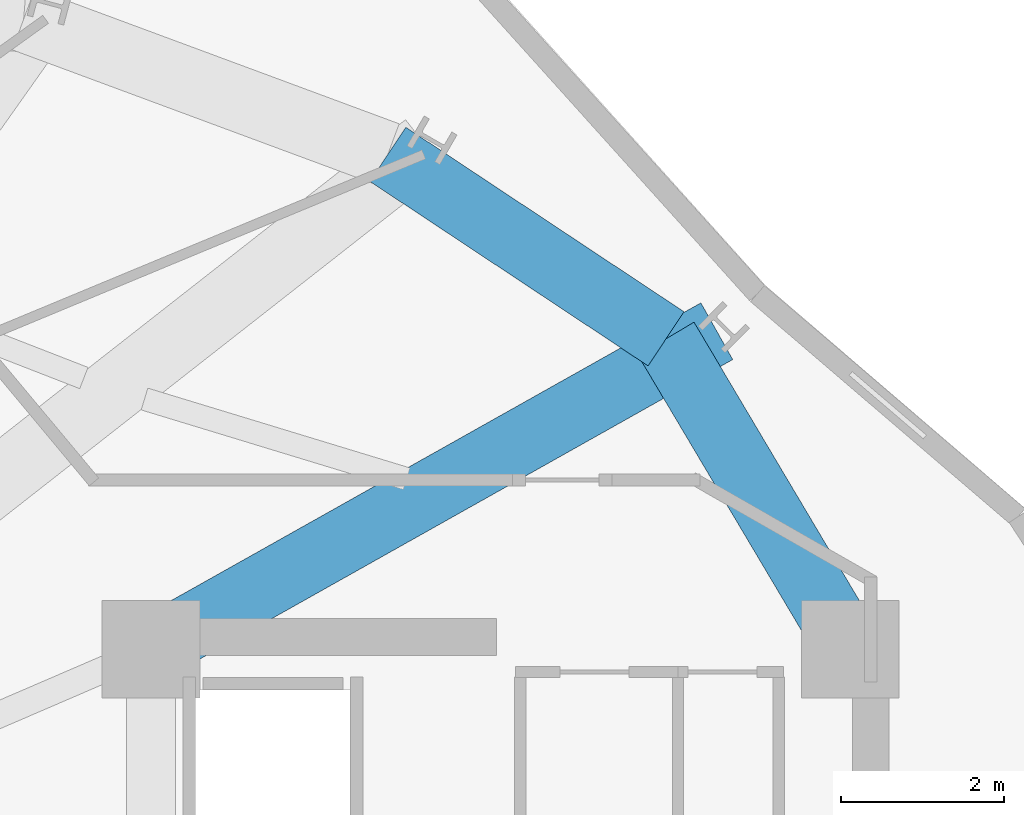
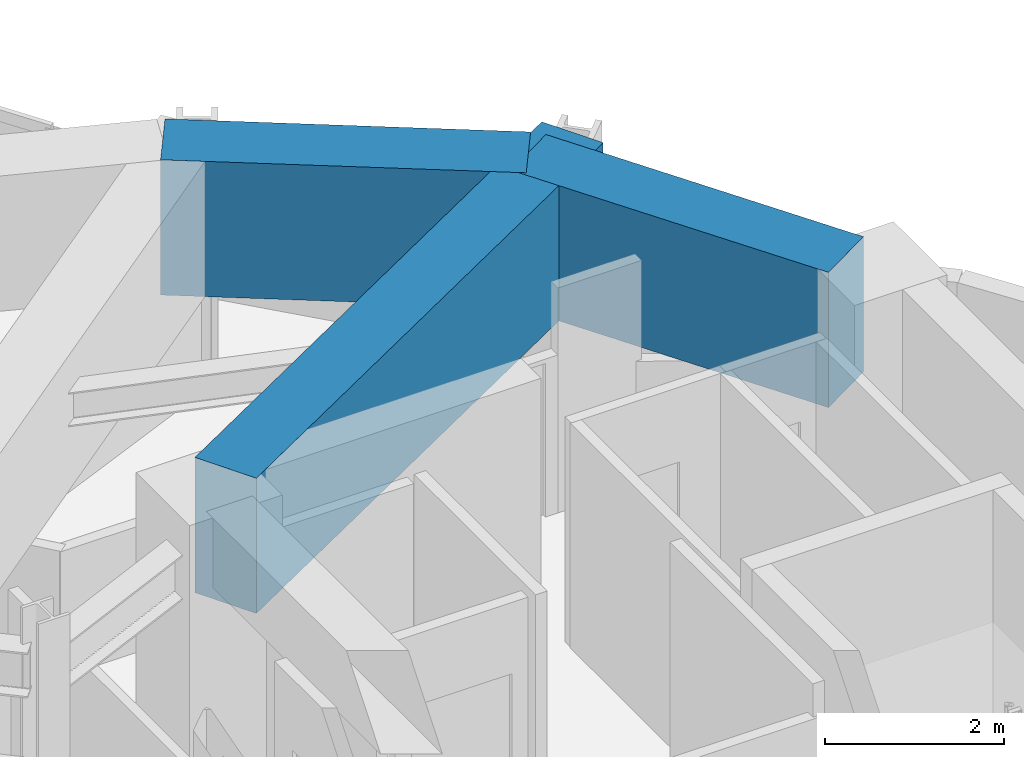
# One storey, part 8 of 21: 3 beams.
"""IFC4 building model written with IfcOpenShell, lengths in metres."""

from ifc_helpers import new_model, si_unit, direction, frame, origin, origin_2d, place, context, subcontext, project, spatial, rectangle, extrude, material, material_profile, profile_set, type_object, element, save


model = new_model("IFC4")

# Units and contexts
model_context = context("Model", 3, precision=1e-05, world=origin(), true_north=direction((0.0, 1.0)))
body_context = subcontext(model_context, "Body", "Model", "MODEL_VIEW")
ifc_project = project(units=[si_unit("LENGTHUNIT", "METRE"), si_unit("AREAUNIT", "SQUARE_METRE"), si_unit("VOLUMEUNIT", "CUBIC_METRE"), si_unit("PLANEANGLEUNIT", "RADIAN"), si_unit("MASSUNIT", "GRAM", prefix="KILO")], contexts=[model_context])

# Site, building, storey
site_placement = place(None, origin())
site = spatial("IfcSite", under=ifc_project, at=site_placement, CompositionType="ELEMENT")
building_placement = place(site_placement, origin())
building = spatial("IfcBuilding", under=site, at=building_placement, Name="Solvane Sanctuary Tower", CompositionType="ELEMENT")
storey_placement = place(building_placement, frame((0.0, 0.0, 256.800048828125)))
storey = spatial("IfcBuildingStorey", under=building, at=storey_placement, Name="L78", CompositionType="ELEMENT", Elevation=256.800048828125)

# Beams
ifc_material = material(Name="Concrete C70/85", Category="concrete")
ifc_material_profile = material_profile(ifc_material, rectangle(XDim=0.800048828125, YDim=1.85009765625, at=origin_2d()), Name="RC800X1850")
ifc_profile_set = profile_set([ifc_material_profile], Name="Concrete C70/85")
beam_type = type_object("IfcBeamType", Name="Beam B-XFER-BLK RC800X1850", PredefinedType="BEAM", material=ifc_profile_set)
beam_1_placement = place(storey_placement, frame((40.413818359375, 30.37646484375, 2.675048828125), z_axis=(0.871757703439, 0.489937247507, 0.0), x_axis=(-0.489937247507, 0.871757703439, 0.0)))
element("IfcBeam", 1, at=beam_1_placement, inside=storey, type_object=beam_type, Name="L78 Block-Shift Radial Transfer Girder 01A", PredefinedType="BEAM", context=body_context, shape_type="SweptSolid", body=[
    extrude(rectangle(XDim=0.800048828125, YDim=1.85009765625, at=origin_2d()), origin(), (0.0, 0.0, 1.0), 7.62109375),
])
beam_2_placement = place(storey_placement, frame((43.01220703125, 36.285400390625, 2.675048828125), z_axis=(0.833429471905, -0.552625836674, 0.0), x_axis=(0.552625836674, 0.833429471905, 0.0)))
element("IfcBeam", 2, at=beam_2_placement, inside=storey, type_object=beam_type, Name="L78 Perimeter Step Transfer Ring NTC02-NTC01", PredefinedType="BEAM", context=body_context, shape_type="SweptSolid", body=[
    extrude(rectangle(XDim=0.800048828125, YDim=1.85009765625, at=origin_2d()), origin(), (0.0, 0.0, 1.0), 4.1044921875),
])
beam_3_placement = place(storey_placement, frame((46.43310546875, 34.01708984375, 2.675048828125), z_axis=(0.510609271777, -0.859812870092, 0.0), x_axis=(0.859812870092, 0.510609271777, 0.0)))
element("IfcBeam", 3, at=beam_3_placement, inside=storey, type_object=beam_type, Name="L78 Perimeter Step Transfer Ring NTC01-CE3", PredefinedType="BEAM", context=body_context, shape_type="SweptSolid", body=[
    extrude(rectangle(XDim=0.800048828125, YDim=1.85009765625, at=origin_2d()), origin(), (0.0, 0.0, 1.0), 4.079345703125),
])

save(model, "model.ifc")
